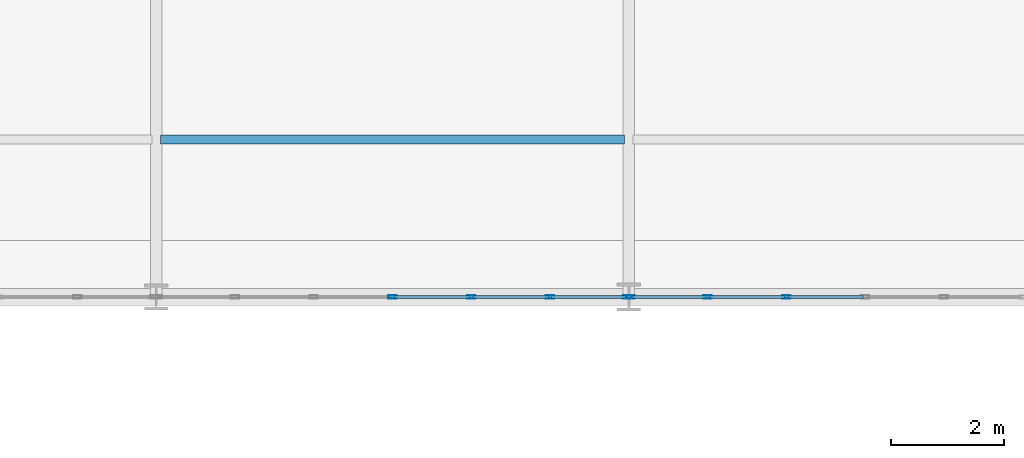
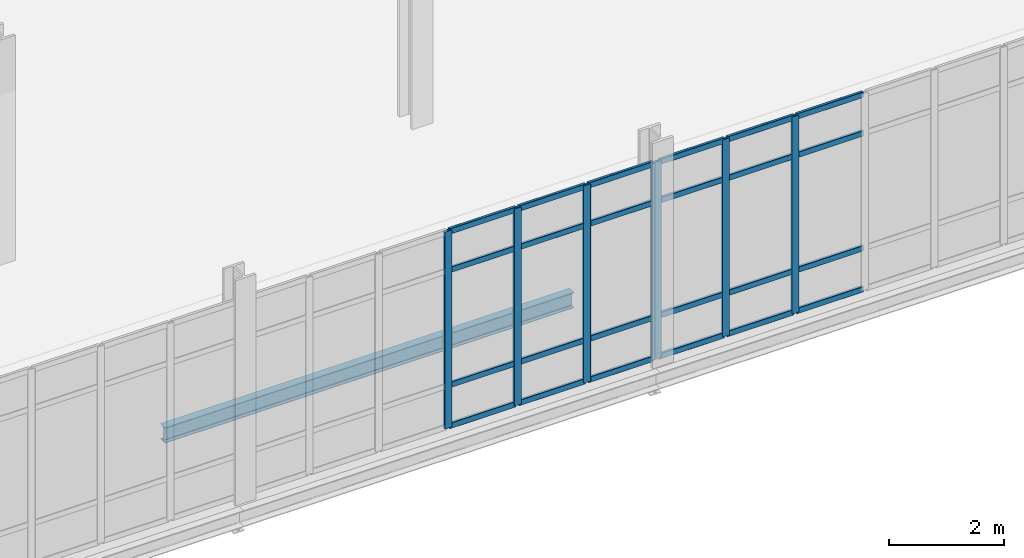
# One storey, part 75 of 145: 31 members, 1 beam, 2 elements without a shape of their own.
"""IFC4 building model written with IfcOpenShell, lengths in metres."""

from ifc_helpers import new_model, si_unit, direction, frame, origin, origin_2d, place, context, subcontext, project, spatial, hollow_rectangle, i_section, extrude, material, layer, layer_set, material_profile, profile_set, type_object, element, aggregate, save


model = new_model("IFC4")

# Units and contexts
model_context = context("Model", 3, precision=1e-05, world=origin(), true_north=direction((0.0, 1.0)))
body_context = subcontext(model_context, "Body", "Model", "MODEL_VIEW")
ifc_project = project(units=[si_unit("LENGTHUNIT", "METRE"), si_unit("AREAUNIT", "SQUARE_METRE"), si_unit("VOLUMEUNIT", "CUBIC_METRE"), si_unit("PLANEANGLEUNIT", "RADIAN"), si_unit("MASSUNIT", "GRAM", prefix="KILO")], contexts=[model_context])

# Site, building, storey
site_placement = place(None, origin())
site = spatial("IfcSite", under=ifc_project, at=site_placement, CompositionType="ELEMENT")
building_placement = place(site_placement, origin())
building = spatial("IfcBuilding", under=site, at=building_placement, Name="Qalvenar Corner Mobility Hub", CompositionType="ELEMENT")
storey_placement = place(building_placement, origin())
storey = spatial("IfcBuildingStorey", under=building, at=storey_placement, Name="L00", CompositionType="ELEMENT", Elevation=0.0)

# Beam
ifc_material_1 = material(Name="Steel S355", Category="steel")
ifc_material_profile_1 = material_profile(ifc_material_1, i_section(OverallWidth=0.159912109375, OverallDepth=0.330078125, WebThickness=0.007568359375, FlangeThickness=0.011474609375, FilletRadius=0.01806640625, at=origin_2d()), Name="IPE330")
ifc_profile_set_1 = profile_set([ifc_material_profile_1], Name="Steel S355")
beam_type = type_object("IfcBeamType", Name="BM-JST330", PredefinedType="JOIST", material=ifc_profile_set_1)
beam_placement = place(storey_placement, frame((75.677978515625, 70.0, -0.385009765625), z_axis=(1.0, 0.0, 0.0), x_axis=(0.0, 1.0, 0.0)))
element("IfcBeam", 1, at=beam_placement, inside=storey, type_object=beam_type, Name="Composite Floor Joist J-0669", PredefinedType="JOIST", context=body_context, shape_type="SweptSolid", body=[
    extrude(i_section(OverallWidth=0.159912109375, OverallDepth=0.330078125, WebThickness=0.007568359375, FlangeThickness=0.011474609375, FilletRadius=0.01806640625, at=origin_2d()), origin(), (0.0, 0.0, 1.0), 8.244140625),
])

# Curtain wall, members
ifc_material_2 = material(Name="Anodised Aluminium and Low-E Glazing", Category="aluminium")
ifc_layer = layer(ifc_material_2, 0.14990234375)
ifc_layer_set = layer_set([ifc_layer], Name="Anodised Aluminium and Low-E Glazing")
curtain_wall_type = type_object("IfcCurtainWallType", Name="CW-MOB-84X46", PredefinedType="NOTDEFINED", material=ifc_layer_set)
curtain_wall_1_placement = place(storey_placement, origin())
curtain_wall_1 = element("IfcCurtainWall", 2, at=curtain_wall_1_placement, inside=storey, type_object=curtain_wall_type, Name="Glazed Curtain Wall CW-V4-L00-S2", PredefinedType="NOTDEFINED")
ifc_material_3 = material(Name="Anodised Aluminium 6063-T6", Category="aluminium")
ifc_material_profile_2 = material_profile(ifc_material_3, hollow_rectangle(XDim=0.06005859375, YDim=0.14990234375, WallThickness=0.00390625, InnerFilletRadius=0.00390625, OuterFilletRadius=0.008056640625, at=origin_2d()), Name="RHS150x60x4")
ifc_profile_set_2 = profile_set([ifc_material_profile_2], Name="Anodised Aluminium 6063-T6")
member_type_1 = type_object("IfcMemberType", Name="CW-MUL150", PredefinedType="MULLION", material=ifc_profile_set_2)
member_1_placement = place(storey_placement, frame((79.800048828125, 67.199951171875, 0.0), z_axis=(0.0, 0.0, 1.0), x_axis=(0.0, 1.0, 0.0)))
member_1 = element("IfcMember", 3, at=member_1_placement, type_object=member_type_1, Name="CW-03 mullion 4", PredefinedType="MULLION", context=body_context, shape_type="SweptSolid", body=[
    extrude(hollow_rectangle(XDim=0.06005859375, YDim=0.14990234375, WallThickness=0.00390625, InnerFilletRadius=0.00390625, OuterFilletRadius=0.008056640625, at=origin_2d()), origin(), (0.0, 0.0, 1.0), 4.199951171875),
])
member_2_placement = place(storey_placement, frame((81.199951171875, 67.199951171875, 0.0), z_axis=(0.0, 0.0, 1.0), x_axis=(0.0, 1.0, 0.0)))
member_2 = element("IfcMember", 4, at=member_2_placement, type_object=member_type_1, Name="CW-03 mullion 5", PredefinedType="MULLION", context=body_context, shape_type="SweptSolid", body=[
    extrude(hollow_rectangle(XDim=0.06005859375, YDim=0.14990234375, WallThickness=0.00390625, InnerFilletRadius=0.00390625, OuterFilletRadius=0.008056640625, at=origin_2d()), origin(), (0.0, 0.0, 1.0), 4.199951171875),
])
member_3_placement = place(storey_placement, frame((82.60009765625, 67.199951171875, 0.0), z_axis=(0.0, 0.0, 1.0), x_axis=(0.0, 1.0, 0.0)))
member_3 = element("IfcMember", 5, at=member_3_placement, type_object=member_type_1, Name="CW-03 mullion 6", PredefinedType="MULLION", context=body_context, shape_type="SweptSolid", body=[
    extrude(hollow_rectangle(XDim=0.06005859375, YDim=0.14990234375, WallThickness=0.00390625, InnerFilletRadius=0.00390625, OuterFilletRadius=0.008056640625, at=origin_2d()), origin(), (0.0, 0.0, 1.0), 4.199951171875),
])
member_4_placement = place(storey_placement, frame((83.969970703125, 67.199951171875, 0.0), z_axis=(0.0, 0.0, 1.0), x_axis=(0.0, 1.0, 0.0)))
member_4 = element("IfcMember", 6, at=member_4_placement, type_object=member_type_1, Name="CW-03 mullion 7", PredefinedType="MULLION", context=body_context, shape_type="SweptSolid", body=[
    extrude(hollow_rectangle(XDim=0.06005859375, YDim=0.14990234375, WallThickness=0.00390625, InnerFilletRadius=0.00390625, OuterFilletRadius=0.008056640625, at=origin_2d()), origin(), (0.0, 0.0, 1.0), 4.199951171875),
])

curtain_wall_2_placement = place(storey_placement, origin())
curtain_wall_2 = element("IfcCurtainWall", 7, at=curtain_wall_2_placement, inside=storey, type_object=curtain_wall_type, Name="Glazed Curtain Wall CW-V4-L00-S3", PredefinedType="NOTDEFINED")
member_5_placement = place(storey_placement, frame((84.030029296875, 67.199951171875, 0.0), z_axis=(0.0, 0.0, 1.0), x_axis=(0.0, 1.0, 0.0)))
member_5 = element("IfcMember", 8, at=member_5_placement, type_object=member_type_1, Name="CW-03 mullion 1", PredefinedType="MULLION", context=body_context, shape_type="SweptSolid", body=[
    extrude(hollow_rectangle(XDim=0.06005859375, YDim=0.14990234375, WallThickness=0.00390625, InnerFilletRadius=0.00390625, OuterFilletRadius=0.008056640625, at=origin_2d()), origin(), (0.0, 0.0, 1.0), 4.199951171875),
])
member_6_placement = place(storey_placement, frame((85.39990234375, 67.199951171875, 0.0), z_axis=(0.0, 0.0, 1.0), x_axis=(0.0, 1.0, 0.0)))
member_6 = element("IfcMember", 9, at=member_6_placement, type_object=member_type_1, Name="CW-03 mullion 2", PredefinedType="MULLION", context=body_context, shape_type="SweptSolid", body=[
    extrude(hollow_rectangle(XDim=0.06005859375, YDim=0.14990234375, WallThickness=0.00390625, InnerFilletRadius=0.00390625, OuterFilletRadius=0.008056640625, at=origin_2d()), origin(), (0.0, 0.0, 1.0), 4.199951171875),
])
member_7_placement = place(storey_placement, frame((86.800048828125, 67.199951171875, 0.0), z_axis=(0.0, 0.0, 1.0), x_axis=(0.0, 1.0, 0.0)))
member_7 = element("IfcMember", 10, at=member_7_placement, type_object=member_type_1, Name="CW-03 mullion 3", PredefinedType="MULLION", context=body_context, shape_type="SweptSolid", body=[
    extrude(hollow_rectangle(XDim=0.06005859375, YDim=0.14990234375, WallThickness=0.00390625, InnerFilletRadius=0.00390625, OuterFilletRadius=0.008056640625, at=origin_2d()), origin(), (0.0, 0.0, 1.0), 4.199951171875),
])

# Member
ifc_material_profile_3 = material_profile(ifc_material_3, hollow_rectangle(XDim=0.054931640625, YDim=0.1201171875, WallThickness=0.00341796875, InnerFilletRadius=0.00341796875, OuterFilletRadius=0.007080078125, at=origin_2d()), Name="RHS120x55x3.5")
ifc_profile_set_3 = profile_set([ifc_material_profile_3], Name="Anodised Aluminium 6063-T6")
member_type_2 = type_object("IfcMemberType", Name="CW-TRN120", PredefinedType="USERDEFINED", material=ifc_profile_set_3)
member_8_placement = place(storey_placement, frame((79.830078125, 67.199951171875, 0.027587890625), z_axis=(1.0, 0.0, 0.0), x_axis=(0.0, 1.0, 0.0)))
member_8 = element("IfcMember", 11, at=member_8_placement, type_object=member_type_2, Name="CW-03 transom 4.1", ObjectType="TRANSOM", PredefinedType="USERDEFINED", context=body_context, shape_type="SweptSolid", body=[
    extrude(hollow_rectangle(XDim=0.054931640625, YDim=0.1201171875, WallThickness=0.00341796875, InnerFilletRadius=0.00341796875, OuterFilletRadius=0.007080078125, at=origin_2d()), origin(), (0.0, 0.0, 1.0), 1.33984375),
])

member_9_placement = place(storey_placement, frame((79.830078125, 67.199951171875, 0.89990234375), z_axis=(1.0, 0.0, 0.0), x_axis=(0.0, 1.0, 0.0)))
member_9 = element("IfcMember", 12, at=member_9_placement, type_object=member_type_2, Name="CW-03 transom 4.2", ObjectType="TRANSOM", PredefinedType="USERDEFINED", context=body_context, shape_type="SweptSolid", body=[
    extrude(hollow_rectangle(XDim=0.054931640625, YDim=0.1201171875, WallThickness=0.00341796875, InnerFilletRadius=0.00341796875, OuterFilletRadius=0.007080078125, at=origin_2d()), origin(), (0.0, 0.0, 1.0), 1.33984375),
])

member_10_placement = place(storey_placement, frame((79.830078125, 67.199951171875, 3.35009765625), z_axis=(1.0, 0.0, 0.0), x_axis=(0.0, 1.0, 0.0)))
member_10 = element("IfcMember", 13, at=member_10_placement, type_object=member_type_2, Name="CW-03 transom 4.3", ObjectType="TRANSOM", PredefinedType="USERDEFINED", context=body_context, shape_type="SweptSolid", body=[
    extrude(hollow_rectangle(XDim=0.054931640625, YDim=0.1201171875, WallThickness=0.00341796875, InnerFilletRadius=0.00341796875, OuterFilletRadius=0.007080078125, at=origin_2d()), origin(), (0.0, 0.0, 1.0), 1.33984375),
])

member_11_placement = place(storey_placement, frame((79.830078125, 67.199951171875, 4.172607421875), z_axis=(1.0, 0.0, 0.0), x_axis=(0.0, 1.0, 0.0)))
member_11 = element("IfcMember", 14, at=member_11_placement, type_object=member_type_2, Name="CW-03 transom 4.4", ObjectType="TRANSOM", PredefinedType="USERDEFINED", context=body_context, shape_type="SweptSolid", body=[
    extrude(hollow_rectangle(XDim=0.054931640625, YDim=0.1201171875, WallThickness=0.00341796875, InnerFilletRadius=0.00341796875, OuterFilletRadius=0.007080078125, at=origin_2d()), origin(), (0.0, 0.0, 1.0), 1.33984375),
])

member_12_placement = place(storey_placement, frame((81.22998046875, 67.199951171875, 0.027587890625), z_axis=(1.0, 0.0, 0.0), x_axis=(0.0, 1.0, 0.0)))
member_12 = element("IfcMember", 15, at=member_12_placement, type_object=member_type_2, Name="CW-03 transom 5.1", ObjectType="TRANSOM", PredefinedType="USERDEFINED", context=body_context, shape_type="SweptSolid", body=[
    extrude(hollow_rectangle(XDim=0.054931640625, YDim=0.1201171875, WallThickness=0.00341796875, InnerFilletRadius=0.00341796875, OuterFilletRadius=0.007080078125, at=origin_2d()), origin(), (0.0, 0.0, 1.0), 1.340087890625),
])

member_13_placement = place(storey_placement, frame((81.22998046875, 67.199951171875, 0.89990234375), z_axis=(1.0, 0.0, 0.0), x_axis=(0.0, 1.0, 0.0)))
member_13 = element("IfcMember", 16, at=member_13_placement, type_object=member_type_2, Name="CW-03 transom 5.2", ObjectType="TRANSOM", PredefinedType="USERDEFINED", context=body_context, shape_type="SweptSolid", body=[
    extrude(hollow_rectangle(XDim=0.054931640625, YDim=0.1201171875, WallThickness=0.00341796875, InnerFilletRadius=0.00341796875, OuterFilletRadius=0.007080078125, at=origin_2d()), origin(), (0.0, 0.0, 1.0), 1.340087890625),
])

member_14_placement = place(storey_placement, frame((81.22998046875, 67.199951171875, 3.35009765625), z_axis=(1.0, 0.0, 0.0), x_axis=(0.0, 1.0, 0.0)))
member_14 = element("IfcMember", 17, at=member_14_placement, type_object=member_type_2, Name="CW-03 transom 5.3", ObjectType="TRANSOM", PredefinedType="USERDEFINED", context=body_context, shape_type="SweptSolid", body=[
    extrude(hollow_rectangle(XDim=0.054931640625, YDim=0.1201171875, WallThickness=0.00341796875, InnerFilletRadius=0.00341796875, OuterFilletRadius=0.007080078125, at=origin_2d()), origin(), (0.0, 0.0, 1.0), 1.340087890625),
])

member_15_placement = place(storey_placement, frame((81.22998046875, 67.199951171875, 4.172607421875), z_axis=(1.0, 0.0, 0.0), x_axis=(0.0, 1.0, 0.0)))
member_15 = element("IfcMember", 18, at=member_15_placement, type_object=member_type_2, Name="CW-03 transom 5.4", ObjectType="TRANSOM", PredefinedType="USERDEFINED", context=body_context, shape_type="SweptSolid", body=[
    extrude(hollow_rectangle(XDim=0.054931640625, YDim=0.1201171875, WallThickness=0.00341796875, InnerFilletRadius=0.00341796875, OuterFilletRadius=0.007080078125, at=origin_2d()), origin(), (0.0, 0.0, 1.0), 1.340087890625),
])

member_16_placement = place(storey_placement, frame((82.6298828125, 67.199951171875, 0.027587890625), z_axis=(1.0, 0.0, 0.0), x_axis=(0.0, 1.0, 0.0)))
member_16 = element("IfcMember", 19, at=member_16_placement, type_object=member_type_2, Name="CW-03 transom 6.1", ObjectType="TRANSOM", PredefinedType="USERDEFINED", context=body_context, shape_type="SweptSolid", body=[
    extrude(hollow_rectangle(XDim=0.054931640625, YDim=0.1201171875, WallThickness=0.00341796875, InnerFilletRadius=0.00341796875, OuterFilletRadius=0.007080078125, at=origin_2d()), origin(), (0.0, 0.0, 1.0), 1.31005859375),
])

member_17_placement = place(storey_placement, frame((82.6298828125, 67.199951171875, 0.89990234375), z_axis=(1.0, 0.0, 0.0), x_axis=(0.0, 1.0, 0.0)))
member_17 = element("IfcMember", 20, at=member_17_placement, type_object=member_type_2, Name="CW-03 transom 6.2", ObjectType="TRANSOM", PredefinedType="USERDEFINED", context=body_context, shape_type="SweptSolid", body=[
    extrude(hollow_rectangle(XDim=0.054931640625, YDim=0.1201171875, WallThickness=0.00341796875, InnerFilletRadius=0.00341796875, OuterFilletRadius=0.007080078125, at=origin_2d()), origin(), (0.0, 0.0, 1.0), 1.31005859375),
])

member_18_placement = place(storey_placement, frame((82.6298828125, 67.199951171875, 3.35009765625), z_axis=(1.0, 0.0, 0.0), x_axis=(0.0, 1.0, 0.0)))
member_18 = element("IfcMember", 21, at=member_18_placement, type_object=member_type_2, Name="CW-03 transom 6.3", ObjectType="TRANSOM", PredefinedType="USERDEFINED", context=body_context, shape_type="SweptSolid", body=[
    extrude(hollow_rectangle(XDim=0.054931640625, YDim=0.1201171875, WallThickness=0.00341796875, InnerFilletRadius=0.00341796875, OuterFilletRadius=0.007080078125, at=origin_2d()), origin(), (0.0, 0.0, 1.0), 1.31005859375),
])

member_19_placement = place(storey_placement, frame((82.6298828125, 67.199951171875, 4.172607421875), z_axis=(1.0, 0.0, 0.0), x_axis=(0.0, 1.0, 0.0)))
member_19 = element("IfcMember", 22, at=member_19_placement, type_object=member_type_2, Name="CW-03 transom 6.4", ObjectType="TRANSOM", PredefinedType="USERDEFINED", context=body_context, shape_type="SweptSolid", body=[
    extrude(hollow_rectangle(XDim=0.054931640625, YDim=0.1201171875, WallThickness=0.00341796875, InnerFilletRadius=0.00341796875, OuterFilletRadius=0.007080078125, at=origin_2d()), origin(), (0.0, 0.0, 1.0), 1.31005859375),
])

aggregate(curtain_wall_1, [member_1, member_2, member_3, member_4, member_8, member_9, member_10, member_11, member_12, member_13, member_14, member_15, member_16, member_17, member_18, member_19])

member_20_placement = place(storey_placement, frame((84.06005859375, 67.199951171875, 0.027587890625), z_axis=(1.0, 0.0, 0.0), x_axis=(0.0, 1.0, 0.0)))
member_20 = element("IfcMember", 23, at=member_20_placement, type_object=member_type_2, Name="CW-03 transom 1.1", ObjectType="TRANSOM", PredefinedType="USERDEFINED", context=body_context, shape_type="SweptSolid", body=[
    extrude(hollow_rectangle(XDim=0.054931640625, YDim=0.1201171875, WallThickness=0.00341796875, InnerFilletRadius=0.00341796875, OuterFilletRadius=0.007080078125, at=origin_2d()), origin(), (0.0, 0.0, 1.0), 1.31005859375),
])

member_21_placement = place(storey_placement, frame((84.06005859375, 67.199951171875, 0.89990234375), z_axis=(1.0, 0.0, 0.0), x_axis=(0.0, 1.0, 0.0)))
member_21 = element("IfcMember", 24, at=member_21_placement, type_object=member_type_2, Name="CW-03 transom 1.2", ObjectType="TRANSOM", PredefinedType="USERDEFINED", context=body_context, shape_type="SweptSolid", body=[
    extrude(hollow_rectangle(XDim=0.054931640625, YDim=0.1201171875, WallThickness=0.00341796875, InnerFilletRadius=0.00341796875, OuterFilletRadius=0.007080078125, at=origin_2d()), origin(), (0.0, 0.0, 1.0), 1.31005859375),
])

member_22_placement = place(storey_placement, frame((84.06005859375, 67.199951171875, 3.35009765625), z_axis=(1.0, 0.0, 0.0), x_axis=(0.0, 1.0, 0.0)))
member_22 = element("IfcMember", 25, at=member_22_placement, type_object=member_type_2, Name="CW-03 transom 1.3", ObjectType="TRANSOM", PredefinedType="USERDEFINED", context=body_context, shape_type="SweptSolid", body=[
    extrude(hollow_rectangle(XDim=0.054931640625, YDim=0.1201171875, WallThickness=0.00341796875, InnerFilletRadius=0.00341796875, OuterFilletRadius=0.007080078125, at=origin_2d()), origin(), (0.0, 0.0, 1.0), 1.31005859375),
])

member_23_placement = place(storey_placement, frame((84.06005859375, 67.199951171875, 4.172607421875), z_axis=(1.0, 0.0, 0.0), x_axis=(0.0, 1.0, 0.0)))
member_23 = element("IfcMember", 26, at=member_23_placement, type_object=member_type_2, Name="CW-03 transom 1.4", ObjectType="TRANSOM", PredefinedType="USERDEFINED", context=body_context, shape_type="SweptSolid", body=[
    extrude(hollow_rectangle(XDim=0.054931640625, YDim=0.1201171875, WallThickness=0.00341796875, InnerFilletRadius=0.00341796875, OuterFilletRadius=0.007080078125, at=origin_2d()), origin(), (0.0, 0.0, 1.0), 1.31005859375),
])

member_24_placement = place(storey_placement, frame((85.429931640625, 67.199951171875, 0.027587890625), z_axis=(1.0, 0.0, 0.0), x_axis=(0.0, 1.0, 0.0)))
member_24 = element("IfcMember", 27, at=member_24_placement, type_object=member_type_2, Name="CW-03 transom 2.1", ObjectType="TRANSOM", PredefinedType="USERDEFINED", context=body_context, shape_type="SweptSolid", body=[
    extrude(hollow_rectangle(XDim=0.054931640625, YDim=0.1201171875, WallThickness=0.00341796875, InnerFilletRadius=0.00341796875, OuterFilletRadius=0.007080078125, at=origin_2d()), origin(), (0.0, 0.0, 1.0), 1.340087890625),
])

member_25_placement = place(storey_placement, frame((85.429931640625, 67.199951171875, 0.89990234375), z_axis=(1.0, 0.0, 0.0), x_axis=(0.0, 1.0, 0.0)))
member_25 = element("IfcMember", 28, at=member_25_placement, type_object=member_type_2, Name="CW-03 transom 2.2", ObjectType="TRANSOM", PredefinedType="USERDEFINED", context=body_context, shape_type="SweptSolid", body=[
    extrude(hollow_rectangle(XDim=0.054931640625, YDim=0.1201171875, WallThickness=0.00341796875, InnerFilletRadius=0.00341796875, OuterFilletRadius=0.007080078125, at=origin_2d()), origin(), (0.0, 0.0, 1.0), 1.340087890625),
])

member_26_placement = place(storey_placement, frame((85.429931640625, 67.199951171875, 3.35009765625), z_axis=(1.0, 0.0, 0.0), x_axis=(0.0, 1.0, 0.0)))
member_26 = element("IfcMember", 29, at=member_26_placement, type_object=member_type_2, Name="CW-03 transom 2.3", ObjectType="TRANSOM", PredefinedType="USERDEFINED", context=body_context, shape_type="SweptSolid", body=[
    extrude(hollow_rectangle(XDim=0.054931640625, YDim=0.1201171875, WallThickness=0.00341796875, InnerFilletRadius=0.00341796875, OuterFilletRadius=0.007080078125, at=origin_2d()), origin(), (0.0, 0.0, 1.0), 1.340087890625),
])

member_27_placement = place(storey_placement, frame((85.429931640625, 67.199951171875, 4.172607421875), z_axis=(1.0, 0.0, 0.0), x_axis=(0.0, 1.0, 0.0)))
member_27 = element("IfcMember", 30, at=member_27_placement, type_object=member_type_2, Name="CW-03 transom 2.4", ObjectType="TRANSOM", PredefinedType="USERDEFINED", context=body_context, shape_type="SweptSolid", body=[
    extrude(hollow_rectangle(XDim=0.054931640625, YDim=0.1201171875, WallThickness=0.00341796875, InnerFilletRadius=0.00341796875, OuterFilletRadius=0.007080078125, at=origin_2d()), origin(), (0.0, 0.0, 1.0), 1.340087890625),
])

member_28_placement = place(storey_placement, frame((86.830078125, 67.199951171875, 0.027587890625), z_axis=(1.0, 0.0, 0.0), x_axis=(0.0, 1.0, 0.0)))
member_28 = element("IfcMember", 31, at=member_28_placement, type_object=member_type_2, Name="CW-03 transom 3.1", ObjectType="TRANSOM", PredefinedType="USERDEFINED", context=body_context, shape_type="SweptSolid", body=[
    extrude(hollow_rectangle(XDim=0.054931640625, YDim=0.1201171875, WallThickness=0.00341796875, InnerFilletRadius=0.00341796875, OuterFilletRadius=0.007080078125, at=origin_2d()), origin(), (0.0, 0.0, 1.0), 1.33984375),
])

member_29_placement = place(storey_placement, frame((86.830078125, 67.199951171875, 0.89990234375), z_axis=(1.0, 0.0, 0.0), x_axis=(0.0, 1.0, 0.0)))
member_29 = element("IfcMember", 32, at=member_29_placement, type_object=member_type_2, Name="CW-03 transom 3.2", ObjectType="TRANSOM", PredefinedType="USERDEFINED", context=body_context, shape_type="SweptSolid", body=[
    extrude(hollow_rectangle(XDim=0.054931640625, YDim=0.1201171875, WallThickness=0.00341796875, InnerFilletRadius=0.00341796875, OuterFilletRadius=0.007080078125, at=origin_2d()), origin(), (0.0, 0.0, 1.0), 1.33984375),
])

member_30_placement = place(storey_placement, frame((86.830078125, 67.199951171875, 3.35009765625), z_axis=(1.0, 0.0, 0.0), x_axis=(0.0, 1.0, 0.0)))
member_30 = element("IfcMember", 33, at=member_30_placement, type_object=member_type_2, Name="CW-03 transom 3.3", ObjectType="TRANSOM", PredefinedType="USERDEFINED", context=body_context, shape_type="SweptSolid", body=[
    extrude(hollow_rectangle(XDim=0.054931640625, YDim=0.1201171875, WallThickness=0.00341796875, InnerFilletRadius=0.00341796875, OuterFilletRadius=0.007080078125, at=origin_2d()), origin(), (0.0, 0.0, 1.0), 1.33984375),
])

member_31_placement = place(storey_placement, frame((86.830078125, 67.199951171875, 4.172607421875), z_axis=(1.0, 0.0, 0.0), x_axis=(0.0, 1.0, 0.0)))
member_31 = element("IfcMember", 34, at=member_31_placement, type_object=member_type_2, Name="CW-03 transom 3.4", ObjectType="TRANSOM", PredefinedType="USERDEFINED", context=body_context, shape_type="SweptSolid", body=[
    extrude(hollow_rectangle(XDim=0.054931640625, YDim=0.1201171875, WallThickness=0.00341796875, InnerFilletRadius=0.00341796875, OuterFilletRadius=0.007080078125, at=origin_2d()), origin(), (0.0, 0.0, 1.0), 1.33984375),
])

aggregate(curtain_wall_2, [member_5, member_6, member_7, member_20, member_21, member_22, member_23, member_24, member_25, member_26, member_27, member_28, member_29, member_30, member_31])

save(model, "model.ifc")
